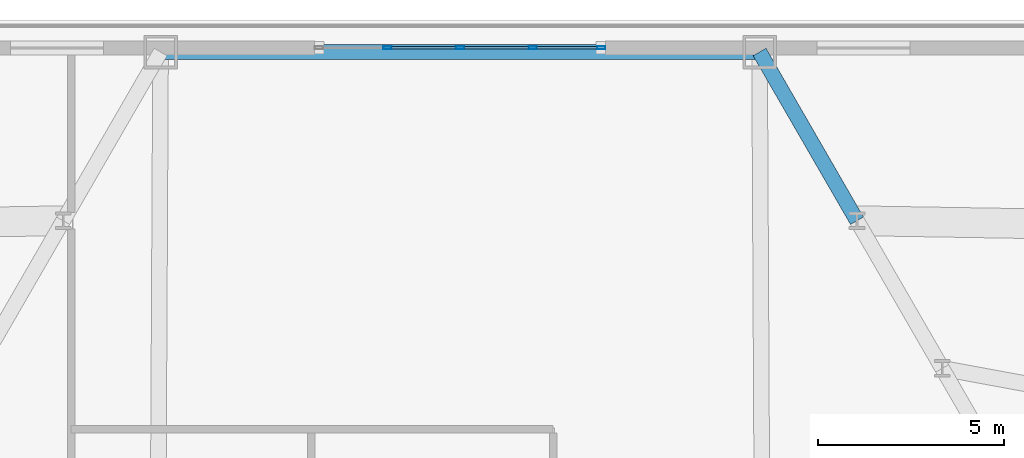
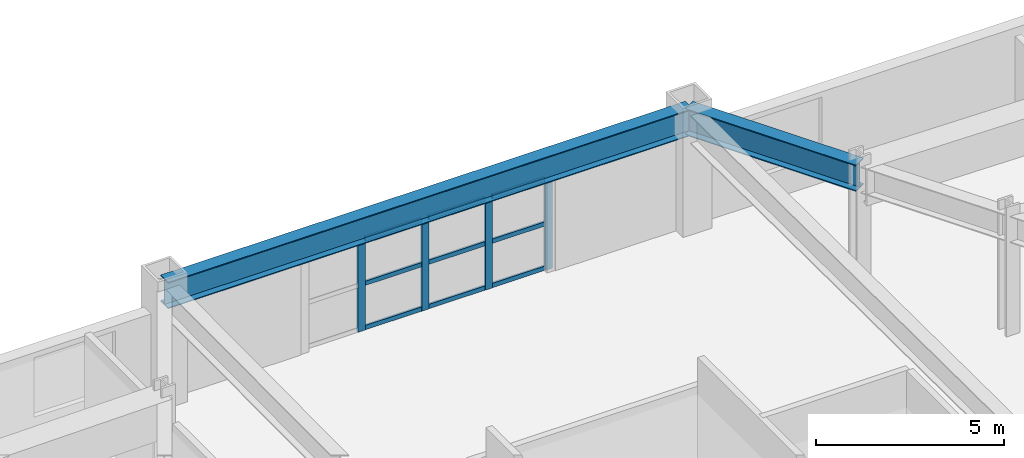
# One storey, part 8 of 22: 13 members, 2 beams, 1 element without a shape of its own.
"""IFC4 building model written with IfcOpenShell, lengths in metres."""

from ifc_helpers import new_model, si_unit, direction, frame, origin, origin_2d, place, context, subcontext, project, spatial, hollow_rectangle, i_section, extrude, material, layer, layer_set, material_profile, profile_set, type_object, element, aggregate, save


model = new_model("IFC4")

# Units and contexts
model_context = context("Model", 3, precision=1e-05, world=origin(), true_north=direction((0.0, 1.0)))
body_context = subcontext(model_context, "Body", "Model", "MODEL_VIEW")
ifc_project = project(units=[si_unit("LENGTHUNIT", "METRE"), si_unit("AREAUNIT", "SQUARE_METRE"), si_unit("VOLUMEUNIT", "CUBIC_METRE"), si_unit("PLANEANGLEUNIT", "RADIAN"), si_unit("MASSUNIT", "GRAM", prefix="KILO")], contexts=[model_context])

# Site, building, storey
site_placement = place(None, origin())
site = spatial("IfcSite", under=ifc_project, at=site_placement, CompositionType="ELEMENT")
building_placement = place(site_placement, origin())
building = spatial("IfcBuilding", under=site, at=building_placement, Name="Oramaril Tower", CompositionType="ELEMENT")
storey_placement = place(building_placement, frame((0.0, 0.0, 18.300048828125)))
storey = spatial("IfcBuildingStorey", under=building, at=storey_placement, Name="L04", CompositionType="ELEMENT", Elevation=18.300048828125)

# Beams
ifc_material_1 = material(Name="Steel ASTM A572 Gr 50", Category="steel")
ifc_material_profile_1 = material_profile(ifc_material_1, i_section(OverallWidth=0.40087890625, OverallDepth=0.85595703125, WebThickness=0.018310546875, FlangeThickness=0.029296875, at=origin_2d()), Name="W33X201")
ifc_profile_set_1 = profile_set([ifc_material_profile_1], Name="Steel ASTM A572 Gr 50")
beam_type = type_object("IfcBeamType", Name="BT-SP1", PredefinedType="SPANDREL", material=ifc_profile_set_1)
beam_1_placement = place(storey_placement, frame((48.166015625, 39.105712890625, 3.451904296875), z_axis=(-0.500015765613, 0.866016301312, 0.0), x_axis=(-0.866016301312, -0.500015765613, 0.0)))
element("IfcBeam", 1, at=beam_1_placement, inside=storey, type_object=beam_type, Name="L04 Perimeter Spandrel 12", PredefinedType="SPANDREL", context=body_context, shape_type="SweptSolid", body=[
    extrude(i_section(OverallWidth=0.40087890625, OverallDepth=0.85595703125, WebThickness=0.018310546875, FlangeThickness=0.029296875, at=origin_2d()), origin(), (0.0, 0.0, 1.0), 5.235595703125),
])
beam_2_placement = place(storey_placement, frame((45.548095703125, 43.639892578125, 3.451904296875), z_axis=(-1.0, 0.0, 0.0), x_axis=(0.0, -1.0, 0.0)))
element("IfcBeam", 2, at=beam_2_placement, inside=storey, type_object=beam_type, Name="L04 Perimeter Spandrel 13", PredefinedType="SPANDREL", context=body_context, shape_type="SweptSolid", body=[
    extrude(i_section(OverallWidth=0.40087890625, OverallDepth=0.85595703125, WebThickness=0.018310546875, FlangeThickness=0.029296875, at=origin_2d()), origin(), (0.0, 0.0, 1.0), 16.09619140625),
])

# Curtain wall, members
ifc_material_2 = material(Name="Anodised Aluminium 6063-T6", Category="aluminium")
ifc_layer = layer(ifc_material_2, 0.219970703125)
ifc_layer_set = layer_set([ifc_layer], Name="CWT-SYS2")
curtain_wall_type = type_object("IfcCurtainWallType", Name="CWT-SYS2", PredefinedType="NOTDEFINED", material=ifc_layer_set)
curtain_wall_placement = place(storey_placement, origin())
curtain_wall = element("IfcCurtainWall", 3, at=curtain_wall_placement, inside=storey, type_object=curtain_wall_type, Name="L04 Unitised Curtain Wall CW-2", PredefinedType="NOTDEFINED")
ifc_material_3 = material(Name="Anodised Aluminium 6063-T6", Category="aluminium")
ifc_material_profile_2 = material_profile(ifc_material_3, hollow_rectangle(XDim=0.080078125, YDim=0.219970703125, WallThickness=0.00390625, at=origin_2d()), Name="CWM220X80")
ifc_profile_set_2 = profile_set([ifc_material_profile_2], Name="Anodised Aluminium 6063-T6")
member_type_1 = type_object("IfcMemberType", Name="MT-CWM1", PredefinedType="MULLION", material=ifc_profile_set_2)
member_1_placement = place(storey_placement, frame((41.2900390625, 43.75, 0.0), z_axis=(0.0, 0.0, 1.0), x_axis=(0.0, -1.0, 0.0)))
member_1 = element("IfcMember", 4, at=member_1_placement, type_object=member_type_1, Name="CW-2 mullion 1", PredefinedType="MULLION", context=body_context, shape_type="SweptSolid", body=[
    extrude(hollow_rectangle(XDim=0.080078125, YDim=0.219970703125, WallThickness=0.00390625, at=origin_2d()), origin(), (0.0, 0.0, 1.0), 3.013916015625),
])
member_2_placement = place(storey_placement, frame((39.449951171875, 43.75, 0.0), z_axis=(0.0, 0.0, 1.0), x_axis=(0.0, -1.0, 0.0)))
member_2 = element("IfcMember", 5, at=member_2_placement, type_object=member_type_1, Name="CW-2 mullion 2", PredefinedType="MULLION", context=body_context, shape_type="SweptSolid", body=[
    extrude(hollow_rectangle(XDim=0.080078125, YDim=0.219970703125, WallThickness=0.00390625, at=origin_2d()), origin(), (0.0, 0.0, 1.0), 3.013916015625),
])
member_3_placement = place(storey_placement, frame((37.5, 43.75, 0.0), z_axis=(0.0, 0.0, 1.0), x_axis=(0.0, -1.0, 0.0)))
member_3 = element("IfcMember", 6, at=member_3_placement, type_object=member_type_1, Name="CW-2 mullion 3", PredefinedType="MULLION", context=body_context, shape_type="SweptSolid", body=[
    extrude(hollow_rectangle(XDim=0.080078125, YDim=0.219970703125, WallThickness=0.00390625, at=origin_2d()), origin(), (0.0, 0.0, 1.0), 3.013916015625),
])
member_4_placement = place(storey_placement, frame((35.550048828125, 43.75, 0.0), z_axis=(0.0, 0.0, 1.0), x_axis=(0.0, -1.0, 0.0)))
member_4 = element("IfcMember", 7, at=member_4_placement, type_object=member_type_1, Name="CW-2 mullion 4", PredefinedType="MULLION", context=body_context, shape_type="SweptSolid", body=[
    extrude(hollow_rectangle(XDim=0.080078125, YDim=0.219970703125, WallThickness=0.00390625, at=origin_2d()), origin(), (0.0, 0.0, 1.0), 3.013916015625),
])
ifc_material_4 = material(Name="Anodised Aluminium 6063-T6", Category="aluminium")
ifc_material_profile_3 = material_profile(ifc_material_4, hollow_rectangle(XDim=0.06494140625, YDim=0.139892578125, WallThickness=0.00390625, at=origin_2d()), Name="CWT140X65")
ifc_profile_set_3 = profile_set([ifc_material_profile_3], Name="Anodised Aluminium 6063-T6")
member_type_2 = type_object("IfcMemberType", Name="MT-CWT2", PredefinedType="USERDEFINED", material=ifc_profile_set_3)
member_5_placement = place(storey_placement, frame((41.179931640625, 43.75, 0.070068359375), z_axis=(-1.0, 0.0, 0.0), x_axis=(0.0, -1.0, 0.0)))
member_5 = element("IfcMember", 8, at=member_5_placement, type_object=member_type_2, Name="CW-2 transom 1.1", ObjectType="TRANSOM", PredefinedType="USERDEFINED", context=body_context, shape_type="SweptSolid", body=[
    extrude(hollow_rectangle(XDim=0.06494140625, YDim=0.139892578125, WallThickness=0.00390625, at=origin_2d()), origin(), (0.0, 0.0, 1.0), 1.619873046875),
])
member_6_placement = place(storey_placement, frame((41.179931640625, 43.75, 1.5068359375), z_axis=(-1.0, 0.0, 0.0), x_axis=(0.0, -1.0, 0.0)))
member_6 = element("IfcMember", 9, at=member_6_placement, type_object=member_type_2, Name="CW-2 transom 1.2", ObjectType="TRANSOM", PredefinedType="USERDEFINED", context=body_context, shape_type="SweptSolid", body=[
    extrude(hollow_rectangle(XDim=0.06494140625, YDim=0.139892578125, WallThickness=0.00390625, at=origin_2d()), origin(), (0.0, 0.0, 1.0), 1.619873046875),
])
member_7_placement = place(storey_placement, frame((41.179931640625, 43.75, 2.94384765625), z_axis=(-1.0, 0.0, 0.0), x_axis=(0.0, -1.0, 0.0)))
member_7 = element("IfcMember", 10, at=member_7_placement, type_object=member_type_2, Name="CW-2 transom 1.3", ObjectType="TRANSOM", PredefinedType="USERDEFINED", context=body_context, shape_type="SweptSolid", body=[
    extrude(hollow_rectangle(XDim=0.06494140625, YDim=0.139892578125, WallThickness=0.00390625, at=origin_2d()), origin(), (0.0, 0.0, 1.0), 1.619873046875),
])
member_8_placement = place(storey_placement, frame((39.340087890625, 43.75, 0.070068359375), z_axis=(-1.0, 0.0, 0.0), x_axis=(0.0, -1.0, 0.0)))
member_8 = element("IfcMember", 11, at=member_8_placement, type_object=member_type_2, Name="CW-2 transom 2.1", ObjectType="TRANSOM", PredefinedType="USERDEFINED", context=body_context, shape_type="SweptSolid", body=[
    extrude(hollow_rectangle(XDim=0.06494140625, YDim=0.139892578125, WallThickness=0.00390625, at=origin_2d()), origin(), (0.0, 0.0, 1.0), 1.72998046875),
])
member_9_placement = place(storey_placement, frame((39.340087890625, 43.75, 1.5068359375), z_axis=(-1.0, 0.0, 0.0), x_axis=(0.0, -1.0, 0.0)))
member_9 = element("IfcMember", 12, at=member_9_placement, type_object=member_type_2, Name="CW-2 transom 2.2", ObjectType="TRANSOM", PredefinedType="USERDEFINED", context=body_context, shape_type="SweptSolid", body=[
    extrude(hollow_rectangle(XDim=0.06494140625, YDim=0.139892578125, WallThickness=0.00390625, at=origin_2d()), origin(), (0.0, 0.0, 1.0), 1.72998046875),
])
member_10_placement = place(storey_placement, frame((39.340087890625, 43.75, 2.94384765625), z_axis=(-1.0, 0.0, 0.0), x_axis=(0.0, -1.0, 0.0)))
member_10 = element("IfcMember", 13, at=member_10_placement, type_object=member_type_2, Name="CW-2 transom 2.3", ObjectType="TRANSOM", PredefinedType="USERDEFINED", context=body_context, shape_type="SweptSolid", body=[
    extrude(hollow_rectangle(XDim=0.06494140625, YDim=0.139892578125, WallThickness=0.00390625, at=origin_2d()), origin(), (0.0, 0.0, 1.0), 1.72998046875),
])
member_11_placement = place(storey_placement, frame((37.389892578125, 43.75, 0.070068359375), z_axis=(-1.0, 0.0, 0.0), x_axis=(0.0, -1.0, 0.0)))
member_11 = element("IfcMember", 14, at=member_11_placement, type_object=member_type_2, Name="CW-2 transom 3.1", ObjectType="TRANSOM", PredefinedType="USERDEFINED", context=body_context, shape_type="SweptSolid", body=[
    extrude(hollow_rectangle(XDim=0.06494140625, YDim=0.139892578125, WallThickness=0.00390625, at=origin_2d()), origin(), (0.0, 0.0, 1.0), 1.72998046875),
])
member_12_placement = place(storey_placement, frame((37.389892578125, 43.75, 1.5068359375), z_axis=(-1.0, 0.0, 0.0), x_axis=(0.0, -1.0, 0.0)))
member_12 = element("IfcMember", 15, at=member_12_placement, type_object=member_type_2, Name="CW-2 transom 3.2", ObjectType="TRANSOM", PredefinedType="USERDEFINED", context=body_context, shape_type="SweptSolid", body=[
    extrude(hollow_rectangle(XDim=0.06494140625, YDim=0.139892578125, WallThickness=0.00390625, at=origin_2d()), origin(), (0.0, 0.0, 1.0), 1.72998046875),
])
member_13_placement = place(storey_placement, frame((37.389892578125, 43.75, 2.94384765625), z_axis=(-1.0, 0.0, 0.0), x_axis=(0.0, -1.0, 0.0)))
member_13 = element("IfcMember", 16, at=member_13_placement, type_object=member_type_2, Name="CW-2 transom 3.3", ObjectType="TRANSOM", PredefinedType="USERDEFINED", context=body_context, shape_type="SweptSolid", body=[
    extrude(hollow_rectangle(XDim=0.06494140625, YDim=0.139892578125, WallThickness=0.00390625, at=origin_2d()), origin(), (0.0, 0.0, 1.0), 1.72998046875),
])
aggregate(curtain_wall, [member_1, member_2, member_3, member_4, member_5, member_6, member_7, member_8, member_9, member_10, member_11, member_12, member_13])

save(model, "model.ifc")
